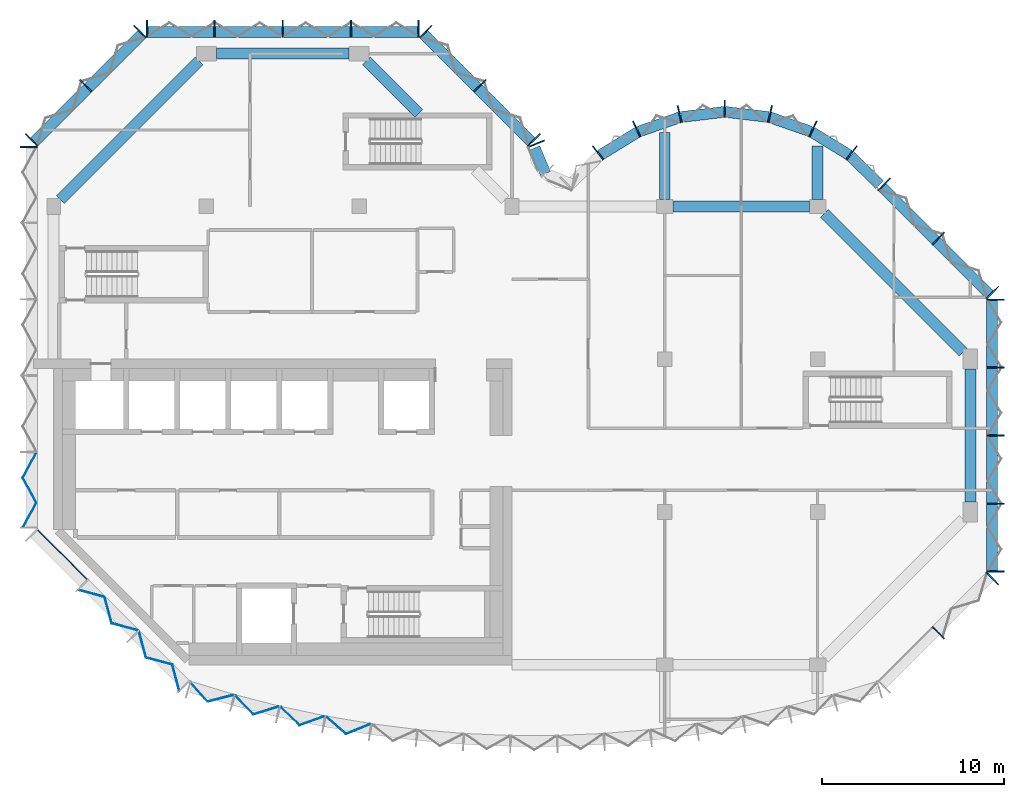
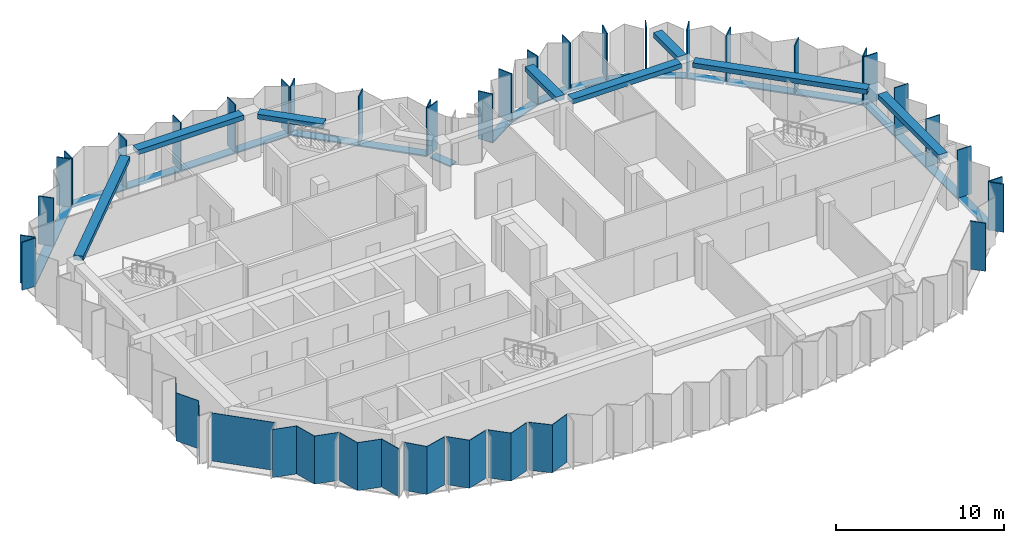
# One storey, part 2 of 10: 43 members, 8 beams, 8 plates, 11 elements without a shape of their own.
"""IFC4 building model written with IfcOpenShell, lengths in metres."""

from ifc_helpers import new_model, si_unit, direction, frame, origin, origin_2d, place, context, subcontext, project, spatial, polyline, rectangle, outline, extrude, material, layer, layer_set, material_profile, profile_set, type_object, element, aggregate, save


model = new_model("IFC4")

# Units and contexts
model_context = context("Model", 3, precision=1e-05, world=origin(), true_north=direction((0.0, 1.0)))
body_context = subcontext(model_context, "Body", "Model", "MODEL_VIEW")
ifc_project = project(units=[si_unit("LENGTHUNIT", "METRE"), si_unit("AREAUNIT", "SQUARE_METRE"), si_unit("VOLUMEUNIT", "CUBIC_METRE"), si_unit("PLANEANGLEUNIT", "RADIAN"), si_unit("MASSUNIT", "GRAM", prefix="KILO")], contexts=[model_context])

# Site, building, storey
site_placement = place(None, origin())
site = spatial("IfcSite", under=ifc_project, at=site_placement, CompositionType="ELEMENT")
building_placement = place(site_placement, origin())
building = spatial("IfcBuilding", under=site, at=building_placement, Name="Brevane Broadcast Tower", CompositionType="ELEMENT")
storey_placement = place(building_placement, frame((0.0, 0.0, 233.699951171875)))
storey = spatial("IfcBuildingStorey", under=building, at=storey_placement, Name="L59", CompositionType="ELEMENT", Elevation=233.699951171875)

# Curtain wall, members
ifc_material_1 = material(Name="Aluminium 6063-T6 bronze anodised", Category="aluminium")
curtain_wall_type = type_object("IfcCurtainWallType", Name="CW-1 curtain wall", PredefinedType="NOTDEFINED", material=ifc_material_1)
curtain_wall_1_placement = place(storey_placement, origin())
curtain_wall_1 = element("IfcCurtainWall", 1, at=curtain_wall_1_placement, inside=storey, type_object=curtain_wall_type, Name="CW-1 typical tilted unit L59 south-east chamfer", PredefinedType="NOTDEFINED")
ifc_material_profile_1 = material_profile(ifc_material_1, rectangle(XDim=0.949951171875, YDim=0.070068359375, at=origin_2d()), Name="RECT 70x950")
ifc_profile_set_1 = profile_set([ifc_material_profile_1], Name="Aluminium 6063-T6 bronze anodised")
member_type_1 = type_object("IfcMemberType", Name="CW-1 mullion 70x950", PredefinedType="MULLION", material=ifc_profile_set_1)
member_1_placement = place(storey_placement, frame((48.635986328125, 1.76416015625, -0.14990234375), z_axis=(0.0, 0.0, 1.0), x_axis=(-0.707106781187, 0.707106781187, 0.0)))
member_1 = element("IfcMember", 2, at=member_1_placement, type_object=member_type_1, Name="CW-1 mullion", PredefinedType="MULLION", context=body_context, shape_type="SweptSolid", body=[
    extrude(rectangle(XDim=0.949951171875, YDim=0.070068359375, at=origin_2d()), origin(), (0.0, 0.0, 1.0), 3.5),
])
member_2_placement = place(storey_placement, frame((51.611083984375, 4.7392578125, -0.14990234375), z_axis=(0.0, 0.0, 1.0), x_axis=(-0.707106781187, 0.707106781187, 0.0)))
member_2 = element("IfcMember", 3, at=member_2_placement, type_object=member_type_1, Name="CW-1 mullion", PredefinedType="MULLION", context=body_context, shape_type="SweptSolid", body=[
    extrude(rectangle(XDim=0.949951171875, YDim=0.070068359375, at=origin_2d()), origin(), (0.0, 0.0, 1.0), 3.5),
])
aggregate(curtain_wall_1, [member_1, member_2])

curtain_wall_2_placement = place(storey_placement, origin())
curtain_wall_2 = element("IfcCurtainWall", 4, at=curtain_wall_2_placement, inside=storey, type_object=curtain_wall_type, Name="CW-1 typical tilted unit L59 east end", PredefinedType="NOTDEFINED")
member_3_placement = place(storey_placement, frame((51.77490234375, 5.135009765625, -0.14990234375), z_axis=(0.0, 0.0, 1.0), x_axis=(-1.0, 0.0, 0.0)))
member_3 = element("IfcMember", 5, at=member_3_placement, type_object=member_type_1, Name="CW-1 mullion", PredefinedType="MULLION", context=body_context, shape_type="SweptSolid", body=[
    extrude(rectangle(XDim=0.949951171875, YDim=0.070068359375, at=origin_2d()), origin(), (0.0, 0.0, 1.0), 3.5),
])
member_4_placement = place(storey_placement, frame((51.77490234375, 8.85009765625, -0.14990234375), z_axis=(0.0, 0.0, 1.0), x_axis=(-1.0, 0.0, 0.0)))
member_4 = element("IfcMember", 6, at=member_4_placement, type_object=member_type_1, Name="CW-1 mullion", PredefinedType="MULLION", context=body_context, shape_type="SweptSolid", body=[
    extrude(rectangle(XDim=0.949951171875, YDim=0.070068359375, at=origin_2d()), origin(), (0.0, 0.0, 1.0), 3.5),
])
member_5_placement = place(storey_placement, frame((51.77490234375, 12.60009765625, -0.14990234375), z_axis=(0.0, 0.0, 1.0), x_axis=(-1.0, 0.0, 0.0)))
member_5 = element("IfcMember", 7, at=member_5_placement, type_object=member_type_1, Name="CW-1 mullion", PredefinedType="MULLION", context=body_context, shape_type="SweptSolid", body=[
    extrude(rectangle(XDim=0.949951171875, YDim=0.070068359375, at=origin_2d()), origin(), (0.0, 0.0, 1.0), 3.5),
])
member_6_placement = place(storey_placement, frame((51.77490234375, 16.35009765625, -0.14990234375), z_axis=(0.0, 0.0, 1.0), x_axis=(-1.0, 0.0, 0.0)))
member_6 = element("IfcMember", 8, at=member_6_placement, type_object=member_type_1, Name="CW-1 mullion", PredefinedType="MULLION", context=body_context, shape_type="SweptSolid", body=[
    extrude(rectangle(XDim=0.949951171875, YDim=0.070068359375, at=origin_2d()), origin(), (0.0, 0.0, 1.0), 3.5),
])
member_7_placement = place(storey_placement, frame((51.77490234375, 20.06494140625, -0.14990234375), z_axis=(0.0, 0.0, 1.0), x_axis=(-1.0, 0.0, 0.0)))
member_7 = element("IfcMember", 9, at=member_7_placement, type_object=member_type_1, Name="CW-1 mullion", PredefinedType="MULLION", context=body_context, shape_type="SweptSolid", body=[
    extrude(rectangle(XDim=0.949951171875, YDim=0.070068359375, at=origin_2d()), origin(), (0.0, 0.0, 1.0), 3.5),
])

curtain_wall_3_placement = place(storey_placement, origin())
curtain_wall_3 = element("IfcCurtainWall", 10, at=curtain_wall_3_placement, inside=storey, type_object=curtain_wall_type, Name="CW-1 typical tilted unit L59 north-east chamfer", PredefinedType="NOTDEFINED")
member_8_placement = place(storey_placement, frame((51.611083984375, 20.460693359375, -0.14990234375), z_axis=(0.0, 0.0, 1.0), x_axis=(-0.707106781187, -0.707106781187, 0.0)))
member_8 = element("IfcMember", 11, at=member_8_placement, type_object=member_type_1, Name="CW-1 mullion", PredefinedType="MULLION", context=body_context, shape_type="SweptSolid", body=[
    extrude(rectangle(XDim=0.949951171875, YDim=0.070068359375, at=origin_2d()), origin(), (0.0, 0.0, 1.0), 3.5),
])
member_9_placement = place(storey_placement, frame((48.635986328125, 23.435791015625, -0.14990234375), z_axis=(0.0, 0.0, 1.0), x_axis=(-0.707106781187, -0.707106781187, 0.0)))
member_9 = element("IfcMember", 12, at=member_9_placement, type_object=member_type_1, Name="CW-1 mullion", PredefinedType="MULLION", context=body_context, shape_type="SweptSolid", body=[
    extrude(rectangle(XDim=0.949951171875, YDim=0.070068359375, at=origin_2d()), origin(), (0.0, 0.0, 1.0), 3.5),
])
member_10_placement = place(storey_placement, frame((45.66064453125, 26.4111328125, -0.14990234375), z_axis=(0.0, 0.0, 1.0), x_axis=(-0.707106781187, -0.707106781187, 0.0)))
member_10 = element("IfcMember", 13, at=member_10_placement, type_object=member_type_1, Name="CW-1 mullion", PredefinedType="MULLION", context=body_context, shape_type="SweptSolid", body=[
    extrude(rectangle(XDim=0.949951171875, YDim=0.070068359375, at=origin_2d()), origin(), (0.0, 0.0, 1.0), 3.5),
])

curtain_wall_4_placement = place(storey_placement, origin())
curtain_wall_4 = element("IfcCurtainWall", 14, at=curtain_wall_4_placement, inside=storey, type_object=curtain_wall_type, Name="CW-1 typical tilted unit L59 east bow", PredefinedType="NOTDEFINED")
member_11_placement = place(storey_placement, frame((43.8720703125, 28.1455078125, -0.14990234375), z_axis=(0.0, 0.0, 1.0), x_axis=(-0.614769698862, -0.788706673841, 0.0)))
member_11 = element("IfcMember", 15, at=member_11_placement, type_object=member_type_1, Name="CW-1 mullion", PredefinedType="MULLION", context=body_context, shape_type="SweptSolid", body=[
    extrude(rectangle(XDim=0.949951171875, YDim=0.070068359375, at=origin_2d()), origin(), (0.0, 0.0, 1.0), 3.5),
])
member_12_placement = place(storey_placement, frame((41.746826171875, 29.4580078125, -0.14990234375), z_axis=(0.0, 0.0, 1.0), x_axis=(-0.429933580394, -0.902860518823, 0.0)))
member_12 = element("IfcMember", 16, at=member_12_placement, type_object=member_type_1, Name="CW-1 mullion", PredefinedType="MULLION", context=body_context, shape_type="SweptSolid", body=[
    extrude(rectangle(XDim=0.949951171875, YDim=0.070068359375, at=origin_2d()), origin(), (0.0, 0.0, 1.0), 3.5),
])
member_13_placement = place(storey_placement, frame((39.38818359375, 30.28076171875, -0.14990234375), z_axis=(0.0, 0.0, 1.0), x_axis=(-0.224806535479, -0.974403418306, 0.0)))
member_13 = element("IfcMember", 17, at=member_13_placement, type_object=member_type_1, Name="CW-1 mullion", PredefinedType="MULLION", context=body_context, shape_type="SweptSolid", body=[
    extrude(rectangle(XDim=0.949951171875, YDim=0.070068359375, at=origin_2d()), origin(), (0.0, 0.0, 1.0), 3.5),
])
member_14_placement = place(storey_placement, frame((36.89990234375, 30.574951171875, -0.14990234375), z_axis=(0.0, 0.0, 1.0), x_axis=(0.0, -1.0, 0.0)))
member_14 = element("IfcMember", 18, at=member_14_placement, type_object=member_type_1, Name="CW-1 mullion", PredefinedType="MULLION", context=body_context, shape_type="SweptSolid", body=[
    extrude(rectangle(XDim=0.949951171875, YDim=0.070068359375, at=origin_2d()), origin(), (0.0, 0.0, 1.0), 3.5),
])
member_15_placement = place(storey_placement, frame((34.411865234375, 30.28076171875, -0.14990234375), z_axis=(0.0, 0.0, 1.0), x_axis=(0.224806535479, -0.974403418306, 0.0)))
member_15 = element("IfcMember", 19, at=member_15_placement, type_object=member_type_1, Name="CW-1 mullion", PredefinedType="MULLION", context=body_context, shape_type="SweptSolid", body=[
    extrude(rectangle(XDim=0.949951171875, YDim=0.070068359375, at=origin_2d()), origin(), (0.0, 0.0, 1.0), 3.5),
])
member_16_placement = place(storey_placement, frame((32.05322265625, 29.4580078125, -0.14990234375), z_axis=(0.0, 0.0, 1.0), x_axis=(0.429933580394, -0.902860518823, 0.0)))
member_16 = element("IfcMember", 20, at=member_16_placement, type_object=member_type_1, Name="CW-1 mullion", PredefinedType="MULLION", context=body_context, shape_type="SweptSolid", body=[
    extrude(rectangle(XDim=0.949951171875, YDim=0.070068359375, at=origin_2d()), origin(), (0.0, 0.0, 1.0), 3.5),
])
member_17_placement = place(storey_placement, frame((29.927978515625, 28.1455078125, -0.14990234375), z_axis=(0.0, 0.0, 1.0), x_axis=(0.614769698862, -0.788706673841, 0.0)))
member_17 = element("IfcMember", 21, at=member_17_placement, type_object=member_type_1, Name="CW-1 mullion", PredefinedType="MULLION", context=body_context, shape_type="SweptSolid", body=[
    extrude(rectangle(XDim=0.949951171875, YDim=0.070068359375, at=origin_2d()), origin(), (0.0, 0.0, 1.0), 3.5),
])

# Curtain wall, member
curtain_wall_5_placement = place(storey_placement, origin())
curtain_wall_5 = element("IfcCurtainWall", 22, at=curtain_wall_5_placement, inside=storey, type_object=curtain_wall_type, Name="CW-1 typical tilted unit L59 inner corner", PredefinedType="NOTDEFINED")
member_18_placement = place(storey_placement, frame((26.55224609375, 28.6494140625, -0.14990234375), z_axis=(0.0, 0.0, 1.0), x_axis=(-0.923879532511, -0.382683432365, 0.0)))
member_18 = element("IfcMember", 23, at=member_18_placement, type_object=member_type_1, Name="CW-1 mullion", PredefinedType="MULLION", context=body_context, shape_type="SweptSolid", body=[
    extrude(rectangle(XDim=0.949951171875, YDim=0.070068359375, at=origin_2d()), origin(), (0.0, 0.0, 1.0), 3.5),
])

# Curtain wall, members
curtain_wall_6_placement = place(storey_placement, origin())
curtain_wall_6 = element("IfcCurtainWall", 24, at=curtain_wall_6_placement, inside=storey, type_object=curtain_wall_type, Name="CW-1 typical tilted unit L59 north arm north-east chamfer", PredefinedType="NOTDEFINED")
member_19_placement = place(storey_placement, frame((26.4111328125, 28.860595703125, -0.14990234375), z_axis=(0.0, 0.0, 1.0), x_axis=(-0.707106781187, -0.707106781187, 0.0)))
member_19 = element("IfcMember", 25, at=member_19_placement, type_object=member_type_1, Name="CW-1 mullion", PredefinedType="MULLION", context=body_context, shape_type="SweptSolid", body=[
    extrude(rectangle(XDim=0.949951171875, YDim=0.070068359375, at=origin_2d()), origin(), (0.0, 0.0, 1.0), 3.5),
])
member_20_placement = place(storey_placement, frame((23.435791015625, 31.8359375, -0.14990234375), z_axis=(0.0, 0.0, 1.0), x_axis=(-0.707106781187, -0.707106781187, 0.0)))
member_20 = element("IfcMember", 26, at=member_20_placement, type_object=member_type_1, Name="CW-1 mullion", PredefinedType="MULLION", context=body_context, shape_type="SweptSolid", body=[
    extrude(rectangle(XDim=0.949951171875, YDim=0.070068359375, at=origin_2d()), origin(), (0.0, 0.0, 1.0), 3.5),
])
member_21_placement = place(storey_placement, frame((20.460693359375, 34.81103515625, -0.14990234375), z_axis=(0.0, 0.0, 1.0), x_axis=(-0.707106781187, -0.707106781187, 0.0)))
member_21 = element("IfcMember", 27, at=member_21_placement, type_object=member_type_1, Name="CW-1 mullion", PredefinedType="MULLION", context=body_context, shape_type="SweptSolid", body=[
    extrude(rectangle(XDim=0.949951171875, YDim=0.070068359375, at=origin_2d()), origin(), (0.0, 0.0, 1.0), 3.5),
])

curtain_wall_7_placement = place(storey_placement, origin())
curtain_wall_7 = element("IfcCurtainWall", 28, at=curtain_wall_7_placement, inside=storey, type_object=curtain_wall_type, Name="CW-1 typical tilted unit L59 north end", PredefinedType="NOTDEFINED")
member_22_placement = place(storey_placement, frame((20.06494140625, 34.97509765625, -0.14990234375), z_axis=(0.0, 0.0, 1.0), x_axis=(0.0, -1.0, 0.0)))
member_22 = element("IfcMember", 29, at=member_22_placement, type_object=member_type_1, Name="CW-1 mullion", PredefinedType="MULLION", context=body_context, shape_type="SweptSolid", body=[
    extrude(rectangle(XDim=0.949951171875, YDim=0.070068359375, at=origin_2d()), origin(), (0.0, 0.0, 1.0), 3.5),
])
member_23_placement = place(storey_placement, frame((16.35009765625, 34.97509765625, -0.14990234375), z_axis=(0.0, 0.0, 1.0), x_axis=(0.0, -1.0, 0.0)))
member_23 = element("IfcMember", 30, at=member_23_placement, type_object=member_type_1, Name="CW-1 mullion", PredefinedType="MULLION", context=body_context, shape_type="SweptSolid", body=[
    extrude(rectangle(XDim=0.949951171875, YDim=0.070068359375, at=origin_2d()), origin(), (0.0, 0.0, 1.0), 3.5),
])
member_24_placement = place(storey_placement, frame((12.60009765625, 34.97509765625, -0.14990234375), z_axis=(0.0, 0.0, 1.0), x_axis=(0.0, -1.0, 0.0)))
member_24 = element("IfcMember", 31, at=member_24_placement, type_object=member_type_1, Name="CW-1 mullion", PredefinedType="MULLION", context=body_context, shape_type="SweptSolid", body=[
    extrude(rectangle(XDim=0.949951171875, YDim=0.070068359375, at=origin_2d()), origin(), (0.0, 0.0, 1.0), 3.5),
])
member_25_placement = place(storey_placement, frame((8.85009765625, 34.97509765625, -0.14990234375), z_axis=(0.0, 0.0, 1.0), x_axis=(0.0, -1.0, 0.0)))
member_25 = element("IfcMember", 32, at=member_25_placement, type_object=member_type_1, Name="CW-1 mullion", PredefinedType="MULLION", context=body_context, shape_type="SweptSolid", body=[
    extrude(rectangle(XDim=0.949951171875, YDim=0.070068359375, at=origin_2d()), origin(), (0.0, 0.0, 1.0), 3.5),
])
member_26_placement = place(storey_placement, frame((5.135009765625, 34.97509765625, -0.14990234375), z_axis=(0.0, 0.0, 1.0), x_axis=(0.0, -1.0, 0.0)))
member_26 = element("IfcMember", 33, at=member_26_placement, type_object=member_type_1, Name="CW-1 mullion", PredefinedType="MULLION", context=body_context, shape_type="SweptSolid", body=[
    extrude(rectangle(XDim=0.949951171875, YDim=0.070068359375, at=origin_2d()), origin(), (0.0, 0.0, 1.0), 3.5),
])

curtain_wall_8_placement = place(storey_placement, origin())
curtain_wall_8 = element("IfcCurtainWall", 34, at=curtain_wall_8_placement, inside=storey, type_object=curtain_wall_type, Name="CW-1 typical tilted unit L59 north-west chamfer", PredefinedType="NOTDEFINED")
member_27_placement = place(storey_placement, frame((4.7392578125, 34.81103515625, -0.14990234375), z_axis=(0.0, 0.0, 1.0), x_axis=(0.707106781187, -0.707106781187, 0.0)))
member_27 = element("IfcMember", 35, at=member_27_placement, type_object=member_type_1, Name="CW-1 mullion", PredefinedType="MULLION", context=body_context, shape_type="SweptSolid", body=[
    extrude(rectangle(XDim=0.949951171875, YDim=0.070068359375, at=origin_2d()), origin(), (0.0, 0.0, 1.0), 3.5),
])
member_28_placement = place(storey_placement, frame((1.76416015625, 31.8359375, -0.14990234375), z_axis=(0.0, 0.0, 1.0), x_axis=(0.707106781187, -0.707106781187, 0.0)))
member_28 = element("IfcMember", 36, at=member_28_placement, type_object=member_type_1, Name="CW-1 mullion", PredefinedType="MULLION", context=body_context, shape_type="SweptSolid", body=[
    extrude(rectangle(XDim=0.949951171875, YDim=0.070068359375, at=origin_2d()), origin(), (0.0, 0.0, 1.0), 3.5),
])
member_29_placement = place(storey_placement, frame((-1.211181640625, 28.860595703125, -0.14990234375), z_axis=(0.0, 0.0, 1.0), x_axis=(0.707106781187, -0.707106781187, 0.0)))
member_29 = element("IfcMember", 37, at=member_29_placement, type_object=member_type_1, Name="CW-1 mullion", PredefinedType="MULLION", context=body_context, shape_type="SweptSolid", body=[
    extrude(rectangle(XDim=0.949951171875, YDim=0.070068359375, at=origin_2d()), origin(), (0.0, 0.0, 1.0), 3.5),
])

# Curtain wall, member
curtain_wall_9_placement = place(storey_placement, origin())
curtain_wall_9 = element("IfcCurtainWall", 38, at=curtain_wall_9_placement, inside=storey, type_object=curtain_wall_type, Name="CW-1 typical tilted unit L59 west face", PredefinedType="NOTDEFINED")
member_30_placement = place(storey_placement, frame((-1.375, 28.465087890625, -0.14990234375), z_axis=(0.0, 0.0, 1.0), x_axis=(1.0, 0.0, 0.0)))
member_30 = element("IfcMember", 39, at=member_30_placement, type_object=member_type_1, Name="CW-1 mullion", PredefinedType="MULLION", context=body_context, shape_type="SweptSolid", body=[
    extrude(rectangle(XDim=0.949951171875, YDim=0.070068359375, at=origin_2d()), origin(), (0.0, 0.0, 1.0), 3.5),
])

# Member
ifc_material_profile_2 = material_profile(ifc_material_1, rectangle(XDim=0.60009765625, YDim=0.10009765625, at=origin_2d()), Name="RECT 100x600")
ifc_profile_set_2 = profile_set([ifc_material_profile_2], Name="Aluminium 6063-T6 bronze anodised")
member_type_2 = type_object("IfcMemberType", Name="CW-1 transom 100x600", PredefinedType="USERDEFINED", material=ifc_profile_set_2)
member_31_placement = place(storey_placement, frame((51.60009765625, 5.10009765625, -0.199951171875), z_axis=(0.0, 1.0, 0.0), x_axis=(-1.0, 0.0, 0.0)))
member_31 = element("IfcMember", 40, at=member_31_placement, type_object=member_type_2, Name="CW-1 transom", ObjectType="TRANSOM", PredefinedType="USERDEFINED", context=body_context, shape_type="SweptSolid", body=[
    extrude(rectangle(XDim=0.60009765625, YDim=0.10009765625, at=origin_2d()), origin(), (0.0, 0.0, 1.0), 15.0),
])

aggregate(curtain_wall_2, [member_3, member_4, member_5, member_6, member_7, member_31])

member_32_placement = place(storey_placement, frame((51.51220703125, 20.31201171875, -0.199951171875), z_axis=(-0.707106781187, 0.707106781187, 0.0), x_axis=(-0.707106781187, -0.707106781187, 0.0)))
member_32 = element("IfcMember", 41, at=member_32_placement, type_object=member_type_2, Name="CW-1 transom", ObjectType="TRANSOM", PredefinedType="USERDEFINED", context=body_context, shape_type="SweptSolid", body=[
    extrude(rectangle(XDim=0.60009765625, YDim=0.10009765625, at=origin_2d()), origin(), (0.0, 0.0, 1.0), 8.4853515625),
])

aggregate(curtain_wall_3, [member_8, member_9, member_10, member_32])

member_33_placement = place(storey_placement, frame((45.412841796875, 26.407958984375, -0.199951171875), z_axis=(-0.71724215871, 0.696823999134, 0.0), x_axis=(-0.696823999134, -0.71724215871, 0.0)))
member_33 = element("IfcMember", 42, at=member_33_placement, type_object=member_type_2, Name="CW-1 transom", ObjectType="TRANSOM", PredefinedType="USERDEFINED", context=body_context, shape_type="SweptSolid", body=[
    extrude(rectangle(XDim=0.60009765625, YDim=0.10009765625, at=origin_2d()), origin(), (0.0, 0.0, 1.0), 2.247802734375),
])

member_34_placement = place(storey_placement, frame((43.7421875, 28.023193359375, -0.199951171875), z_axis=(-0.850810063131, 0.525473345162, 0.0), x_axis=(-0.525473345162, -0.850810063131, 0.0)))
member_34 = element("IfcMember", 43, at=member_34_placement, type_object=member_type_2, Name="CW-1 transom", ObjectType="TRANSOM", PredefinedType="USERDEFINED", context=body_context, shape_type="SweptSolid", body=[
    extrude(rectangle(XDim=0.60009765625, YDim=0.10009765625, at=origin_2d()), origin(), (0.0, 0.0, 1.0), 2.39453125),
])

member_35_placement = place(storey_placement, frame((41.63623046875, 29.314208984375, -0.199951171875), z_axis=(-0.944197969542, 0.329378497041, 0.0), x_axis=(-0.329378497041, -0.944197969542, 0.0)))
member_35 = element("IfcMember", 44, at=member_35_placement, type_object=member_type_2, Name="CW-1 transom", ObjectType="TRANSOM", PredefinedType="USERDEFINED", context=body_context, shape_type="SweptSolid", body=[
    extrude(rectangle(XDim=0.60009765625, YDim=0.10009765625, at=origin_2d()), origin(), (0.0, 0.0, 1.0), 2.394775390625),
])

member_36_placement = place(storey_placement, frame((39.30029296875, 30.117431640625, -0.199951171875), z_axis=(-0.993062061831, 0.117591417, 0.0), x_axis=(-0.117591417, -0.993062061831, 0.0)))
member_36 = element("IfcMember", 45, at=member_36_placement, type_object=member_type_2, Name="CW-1 transom", ObjectType="TRANSOM", PredefinedType="USERDEFINED", context=body_context, shape_type="SweptSolid", body=[
    extrude(rectangle(XDim=0.60009765625, YDim=0.10009765625, at=origin_2d()), origin(), (0.0, 0.0, 1.0), 2.39794921875),
])

member_37_placement = place(storey_placement, frame((36.880859375, 30.3994140625, -0.199951171875), z_axis=(-0.993060653805, -0.117603307202, 0.0), x_axis=(0.117603307202, -0.993060653805, 0.0)))
member_37 = element("IfcMember", 46, at=member_37_placement, type_object=member_type_2, Name="CW-1 transom", ObjectType="TRANSOM", PredefinedType="USERDEFINED", context=body_context, shape_type="SweptSolid", body=[
    extrude(rectangle(XDim=0.60009765625, YDim=0.10009765625, at=origin_2d()), origin(), (0.0, 0.0, 1.0), 2.397705078125),
])

member_38_placement = place(storey_placement, frame((34.425048828125, 30.10302734375, -0.199951171875), z_axis=(-0.944197969542, -0.329378497041, 0.0), x_axis=(0.329378497041, -0.944197969542, 0.0)))
member_38 = element("IfcMember", 47, at=member_38_placement, type_object=member_type_2, Name="CW-1 transom", ObjectType="TRANSOM", PredefinedType="USERDEFINED", context=body_context, shape_type="SweptSolid", body=[
    extrude(rectangle(XDim=0.60009765625, YDim=0.10009765625, at=origin_2d()), origin(), (0.0, 0.0, 1.0), 2.394775390625),
])

member_39_placement = place(storey_placement, frame((32.09521484375, 29.281494140625, -0.199951171875), z_axis=(-0.850838211365, -0.525427766759, 0.0), x_axis=(0.525427766759, -0.850838211365, 0.0)))
member_39 = element("IfcMember", 48, at=member_39_placement, type_object=member_type_2, Name="CW-1 transom", ObjectType="TRANSOM", PredefinedType="USERDEFINED", context=body_context, shape_type="SweptSolid", body=[
    extrude(rectangle(XDim=0.60009765625, YDim=0.10009765625, at=origin_2d()), origin(), (0.0, 0.0, 1.0), 2.394775390625),
])

aggregate(curtain_wall_4, [member_11, member_12, member_13, member_14, member_15, member_16, member_17, member_33, member_34, member_35, member_36, member_37, member_38, member_39])

member_40_placement = place(storey_placement, frame((27.039794921875, 27.0, -0.199951171875), z_axis=(-0.382674472816, 0.923883243627, 0.0), x_axis=(-0.923883243627, -0.382674472816, 0.0)))
member_40 = element("IfcMember", 49, at=member_40_placement, type_object=member_type_2, Name="CW-1 transom", ObjectType="TRANSOM", PredefinedType="USERDEFINED", context=body_context, shape_type="SweptSolid", body=[
    extrude(rectangle(XDim=0.60009765625, YDim=0.10009765625, at=origin_2d()), origin(), (0.0, 0.0, 1.0), 1.536865234375),
])

aggregate(curtain_wall_5, [member_18, member_40])

member_41_placement = place(storey_placement, frame((26.31201171875, 28.712158203125, -0.199951171875), z_axis=(-0.707106781187, 0.707106781187, 0.0), x_axis=(-0.707106781187, -0.707106781187, 0.0)))
member_41 = element("IfcMember", 50, at=member_41_placement, type_object=member_type_2, Name="CW-1 transom", ObjectType="TRANSOM", PredefinedType="USERDEFINED", context=body_context, shape_type="SweptSolid", body=[
    extrude(rectangle(XDim=0.60009765625, YDim=0.10009765625, at=origin_2d()), origin(), (0.0, 0.0, 1.0), 8.4853515625),
])

aggregate(curtain_wall_6, [member_19, member_20, member_21, member_41])

member_42_placement = place(storey_placement, frame((20.10009765625, 34.800048828125, -0.199951171875), z_axis=(-1.0, 0.0, 0.0), x_axis=(0.0, -1.0, 0.0)))
member_42 = element("IfcMember", 51, at=member_42_placement, type_object=member_type_2, Name="CW-1 transom", ObjectType="TRANSOM", PredefinedType="USERDEFINED", context=body_context, shape_type="SweptSolid", body=[
    extrude(rectangle(XDim=0.60009765625, YDim=0.10009765625, at=origin_2d()), origin(), (0.0, 0.0, 1.0), 15.0),
])

aggregate(curtain_wall_7, [member_22, member_23, member_24, member_25, member_26, member_42])

member_43_placement = place(storey_placement, frame((4.887939453125, 34.712158203125, -0.199951171875), z_axis=(-0.707106781187, -0.707106781187, 0.0), x_axis=(0.707106781187, -0.707106781187, 0.0)))
member_43 = element("IfcMember", 52, at=member_43_placement, type_object=member_type_2, Name="CW-1 transom", ObjectType="TRANSOM", PredefinedType="USERDEFINED", context=body_context, shape_type="SweptSolid", body=[
    extrude(rectangle(XDim=0.60009765625, YDim=0.10009765625, at=origin_2d()), origin(), (0.0, 0.0, 1.0), 8.4853515625),
])

aggregate(curtain_wall_8, [member_27, member_28, member_29, member_43])

# Beams
ifc_material_2 = material(Name="Concrete C40/50", Category="concrete")
ifc_material_profile_3 = material_profile(ifc_material_2, rectangle(XDim=0.60009765625, YDim=0.35009765625, at=origin_2d()), Name="RC 600x350")
ifc_profile_set_3 = profile_set([ifc_material_profile_3], Name="Concrete C40/50")
beam_type_1 = type_object("IfcBeamType", Name="RC BRACKET BEAM 600x350 C40/50", PredefinedType="BEAM", material=ifc_profile_set_3)
beam_1_placement = place(storey_placement, frame((33.60009765625, 25.574951171875, 3.175048828125), z_axis=(0.0, 1.0, 0.0), x_axis=(-1.0, 0.0, 0.0)))
element("IfcBeam", 53, at=beam_1_placement, inside=storey, type_object=beam_type_1, Name="EB2 L59-2", PredefinedType="BEAM", context=body_context, shape_type="SweptSolid", body=[
    extrude(rectangle(XDim=0.60009765625, YDim=0.35009765625, at=origin_2d()), origin(), (0.0, 0.0, 1.0), 3.68701171875),
])
beam_2_placement = place(storey_placement, frame((42.0, 25.574951171875, 3.175048828125), z_axis=(0.0, 1.0, 0.0), x_axis=(-1.0, 0.0, 0.0)))
element("IfcBeam", 54, at=beam_2_placement, inside=storey, type_object=beam_type_1, Name="EB2 L59-4", PredefinedType="BEAM", context=body_context, shape_type="SweptSolid", body=[
    extrude(rectangle(XDim=0.60009765625, YDim=0.35009765625, at=origin_2d()), origin(), (0.0, 0.0, 1.0), 2.9365234375),
])
ifc_material_profile_4 = material_profile(ifc_material_2, rectangle(XDim=0.60009765625, YDim=0.35009765625, at=origin_2d()), Name="RC 600x350")
ifc_profile_set_4 = profile_set([ifc_material_profile_4], Name="Concrete C40/50")
beam_type_2 = type_object("IfcBeamType", Name="RC SPANDREL BEAM 600x350 C40/50", PredefinedType="SPANDREL", material=ifc_profile_set_4)
beam_3_placement = place(storey_placement, frame((50.39990234375, 8.949951171875, 3.175048828125), z_axis=(0.0, 1.0, 0.0), x_axis=(-1.0, 0.0, 0.0)))
element("IfcBeam", 55, at=beam_3_placement, inside=storey, type_object=beam_type_2, Name="EB1 L59-4", PredefinedType="SPANDREL", context=body_context, shape_type="SweptSolid", body=[
    extrude(rectangle(XDim=0.60009765625, YDim=0.35009765625, at=origin_2d()), origin(), (0.0, 0.0, 1.0), 7.300048828125),
])
beam_4_placement = place(storey_placement, frame((50.0, 17.199951171875, 3.175048828125), z_axis=(-0.707106781187, 0.707106781187, 0.0), x_axis=(-0.707106781187, -0.707106781187, 0.0)))
element("IfcBeam", 56, at=beam_4_placement, inside=storey, type_object=beam_type_2, Name="EB1 L59-5", PredefinedType="SPANDREL", context=body_context, shape_type="SweptSolid", body=[
    extrude(rectangle(XDim=0.60009765625, YDim=0.35009765625, at=origin_2d()), origin(), (0.0, 0.0, 1.0), 10.783447265625),
])
beam_5_placement = place(storey_placement, frame((41.550048828125, 25.199951171875, 3.175048828125), z_axis=(-1.0, 0.0, 0.0), x_axis=(0.0, -1.0, 0.0)))
element("IfcBeam", 57, at=beam_5_placement, inside=storey, type_object=beam_type_2, Name="EB1 L59-6", PredefinedType="SPANDREL", context=body_context, shape_type="SweptSolid", body=[
    extrude(rectangle(XDim=0.60009765625, YDim=0.35009765625, at=origin_2d()), origin(), (0.0, 0.0, 1.0), 7.5),
])
beam_6_placement = place(storey_placement, frame((20.080078125, 30.320068359375, 3.175048828125), z_axis=(-0.707136751593, 0.70707680951, 0.0), x_axis=(-0.70707680951, -0.707136751593, 0.0)))
element("IfcBeam", 58, at=beam_6_placement, inside=storey, type_object=beam_type_2, Name="EB1 L59-12", PredefinedType="SPANDREL", context=body_context, shape_type="SweptSolid", body=[
    extrude(rectangle(XDim=0.60009765625, YDim=0.35009765625, at=origin_2d()), origin(), (0.0, 0.0, 1.0), 4.072998046875),
])
beam_7_placement = place(storey_placement, frame((16.25, 33.60009765625, 3.175048828125), z_axis=(-1.0, 0.0, 0.0), x_axis=(0.0, -1.0, 0.0)))
element("IfcBeam", 59, at=beam_7_placement, inside=storey, type_object=beam_type_2, Name="EB1 L59-9", PredefinedType="SPANDREL", context=body_context, shape_type="SweptSolid", body=[
    extrude(rectangle(XDim=0.60009765625, YDim=0.35009765625, at=origin_2d()), origin(), (0.0, 0.0, 1.0), 7.300048828125),
])
beam_8_placement = place(storey_placement, frame((8.0, 33.199951171875, 3.175048828125), z_axis=(-0.707106781187, -0.707106781187, 0.0), x_axis=(0.707106781187, -0.707106781187, 0.0)))
element("IfcBeam", 60, at=beam_8_placement, inside=storey, type_object=beam_type_2, Name="EB1 L59-10", PredefinedType="SPANDREL", context=body_context, shape_type="SweptSolid", body=[
    extrude(rectangle(XDim=0.60009765625, YDim=0.35009765625, at=origin_2d()), origin(), (0.0, 0.0, 1.0), 10.783447265625),
])

# Curtain wall, plates
curtain_wall_10_placement = place(storey_placement, origin())
curtain_wall_10 = element("IfcCurtainWall", 61, at=curtain_wall_10_placement, inside=storey, type_object=curtain_wall_type, Name="CW-1 typical tilted unit L59 south bow", PredefinedType="NOTDEFINED")
ifc_material_3 = material(Name="Laminated glass bronze-tinted", Category="glass")
ifc_layer = layer(ifc_material_3, 0.0400390625)
ifc_layer_set = layer_set([ifc_layer], Name="CW tall glass panel 40")
plate_type = type_object("IfcPlateType", Name="CW tall glass panel 40", PredefinedType="CURTAIN_PANEL", material=ifc_layer_set)
plate_1_placement = place(storey_placement, frame((0.0, 0.0, -0.14990234375)))
plate_1 = element("IfcPlate", 62, at=plate_1_placement, type_object=plate_type, Name="CW-1 glass panel", PredefinedType="CURTAIN_PANEL", context=body_context, shape_type="SweptSolid", body=[
    extrude(outline(polyline([(7.525634765625, -0.935791015625), (7.51220703125, -0.980712890625), (8.46337890625, -2.044921875), (9.862548828125, -1.6884765625), (9.875, -1.64404296875), (8.47705078125, -2.000244140625), (7.525634765625, -0.935791015625)])), origin(), (0.0, 0.0, 1.0), 3.5),
])
plate_2_placement = place(storey_placement, frame((0.0, 0.0, -0.14990234375)))
plate_2 = element("IfcPlate", 63, at=plate_2_placement, type_object=plate_type, Name="CW-1 glass panel", PredefinedType="CURTAIN_PANEL", context=body_context, shape_type="SweptSolid", body=[
    extrude(outline(polyline([(10.01708984375, -1.68408203125), (10.00439453125, -1.728759765625), (10.984130859375, -2.749755859375), (12.345947265625, -2.32958984375), (12.3564453125, -2.284423828125), (10.99609375, -2.7041015625), (10.01708984375, -1.68408203125)])), origin(), (0.0, 0.0, 1.0), 3.5),
])
plate_3_placement = place(storey_placement, frame((0.0, 0.0, -0.14990234375)))
plate_3 = element("IfcPlate", 64, at=plate_3_placement, type_object=plate_type, Name="CW-1 glass panel", PredefinedType="CURTAIN_PANEL", context=body_context, shape_type="SweptSolid", body=[
    extrude(outline(polyline([(12.5, -2.318603515625), (12.489501953125, -2.36376953125), (13.513427734375, -3.343505859375), (14.85400390625, -2.866455078125), (14.862548828125, -2.82080078125), (13.523193359375, -3.29736328125), (12.5, -2.318603515625)])), origin(), (0.0, 0.0, 1.0), 3.5),
])
plate_4_placement = place(storey_placement, frame((0.0, 0.0, -0.14990234375)))
plate_4 = element("IfcPlate", 65, at=plate_4_placement, type_object=plate_type, Name="CW-1 glass panel", PredefinedType="CURTAIN_PANEL", context=body_context, shape_type="SweptSolid", body=[
    extrude(outline(polyline([(15.007568359375, -2.8486328125), (14.998779296875, -2.894287109375), (16.065185546875, -3.830810546875), (17.382080078125, -3.298095703125), (17.388916015625, -3.252197265625), (16.072998046875, -3.78466796875), (15.007568359375, -2.8486328125)])), origin(), (0.0, 0.0, 1.0), 3.5),
])
aggregate(curtain_wall_10, [plate_1, plate_2, plate_3, plate_4])

# Plate
plate_5_placement = place(storey_placement, frame((0.0, 0.0, -0.14990234375)))
plate_5 = element("IfcPlate", 66, at=plate_5_placement, type_object=plate_type, Name="CW-1 glass panel", PredefinedType="CURTAIN_PANEL", context=body_context, shape_type="SweptSolid", body=[
    extrude(outline(polyline([(-0.92724609375, 11.6650390625), (-0.97265625, 11.6650390625), (-1.717041015625, 10.288330078125), (-0.97265625, 8.91162109375), (-1.717041015625, 7.534912109375), (-1.671630859375, 7.534912109375), (-0.92724609375, 8.91162109375), (-1.671630859375, 10.288330078125), (-0.92724609375, 11.6650390625)])), origin(), (0.0, 0.0, 1.0), 3.5),
])

aggregate(curtain_wall_9, [member_30, plate_5])

# Curtain wall, plates
curtain_wall_11_placement = place(storey_placement, origin())
curtain_wall_11 = element("IfcCurtainWall", 67, at=curtain_wall_11_placement, inside=storey, type_object=curtain_wall_type, Name="CW-1 typical tilted unit L59 south-west chamfer", PredefinedType="NOTDEFINED")
plate_6_placement = place(storey_placement, frame((0.0, 0.0, -0.14990234375)))
plate_6 = element("IfcPlate", 68, at=plate_6_placement, type_object=plate_type, Name="CW-1 glass panel", PredefinedType="CURTAIN_PANEL", context=body_context, shape_type="SweptSolid", body=[
    extrude(outline(polyline([(-0.896484375, 7.4541015625), (1.85400390625, 4.70361328125), (1.82568359375, 4.67529296875), (-0.9248046875, 7.42578125), (-0.896484375, 7.4541015625)])), origin(), (0.0, 0.0, 1.0), 3.5),
])
plate_7_placement = place(storey_placement, frame((0.0, 0.0, -0.14990234375)))
plate_7 = element("IfcPlate", 69, at=plate_7_placement, type_object=plate_type, Name="CW-1 glass panel", PredefinedType="CURTAIN_PANEL", context=body_context, shape_type="SweptSolid", body=[
    extrude(outline(polyline([(1.37939453125, 4.1298828125), (1.3466796875, 4.09716796875), (2.789794921875, 3.706787109375), (3.180419921875, 2.263671875), (4.62353515625, 1.873046875), (4.65625, 1.90576171875), (3.212890625, 2.296142578125), (2.822509765625, 3.739501953125), (1.37939453125, 4.1298828125)])), origin(), (0.0, 0.0, 1.0), 3.5),
])
plate_8_placement = place(storey_placement, frame((0.0, 0.0, -0.14990234375)))
plate_8 = element("IfcPlate", 70, at=plate_8_placement, type_object=plate_type, Name="CW-1 glass panel", PredefinedType="CURTAIN_PANEL", context=body_context, shape_type="SweptSolid", body=[
    extrude(outline(polyline([(4.705810546875, 1.856201171875), (4.673095703125, 1.823486328125), (5.063720703125, 0.38037109375), (6.5068359375, -0.010009765625), (6.897216796875, -1.453369140625), (6.9296875, -1.420654296875), (6.539306640625, 0.0224609375), (5.09619140625, 0.4130859375), (4.705810546875, 1.856201171875)])), origin(), (0.0, 0.0, 1.0), 3.5),
])
aggregate(curtain_wall_11, [plate_6, plate_7, plate_8])

save(model, "model.ifc")
